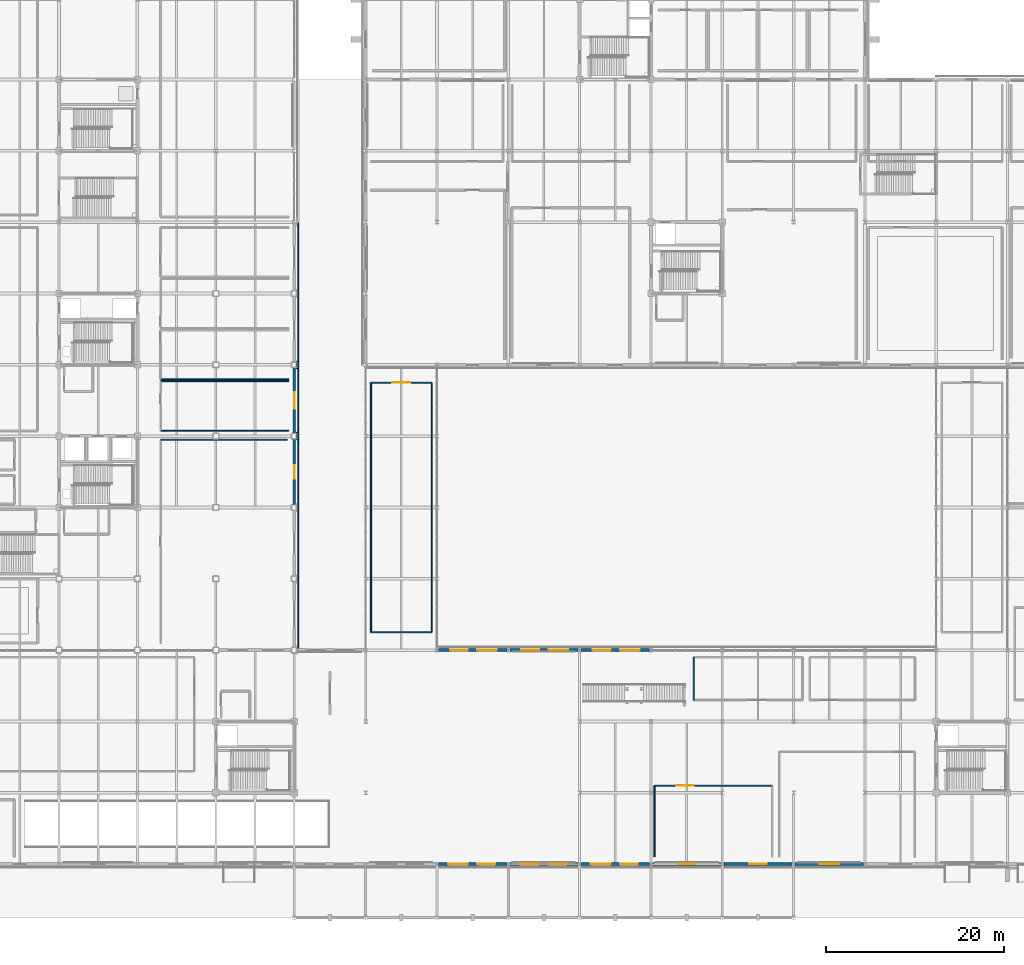
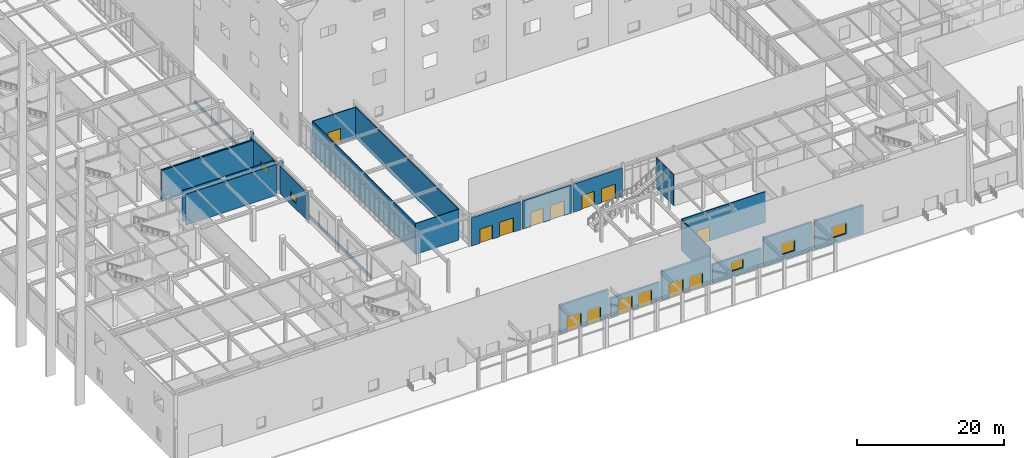
# One storey, part 88 of 119: 25 walls, 14 doors, 5 windows, 19 openings.
"""IFC4 building model written with IfcOpenShell, lengths in metres."""

import ifcopenshell
import ifcopenshell.guid

model = None  # the IFC model being written
_history = None  # IfcOwnerHistory: only IFC2X3 demands one
_inside = {}  # id of a spatial element -> (the spatial element, [elements in it])
_under = {}  # id of a project, library or spatial element -> (it, [spatial elements below it])
_declared = {}  # id of a project -> (the project, [libraries it declares])
_typed = {}  # id of a type object -> (the type object, [elements of that type])
_made_of = {}  # id of a material, layer set ... -> (it, [elements and type objects made of it])


def new_model(schema):
    """Start an empty IFC model of exactly this schema.

    Asked for "IFC4X3", IfcOpenShell would pick the latest addendum, in which some entities
    have other attributes; the version numbers below select the first issue.
    IFC2X3 requires an IfcOwnerHistory on every rooted entity: one is made here for all.
    """
    global model, _history
    if schema == "IFC4X3":
        model = ifcopenshell.file(schema_version=(4, 3, 0, 0))
    else:
        model = ifcopenshell.file(schema=schema)
    _inside.clear()
    _under.clear()
    _declared.clear()
    _typed.clear()
    _made_of.clear()
    _history = None
    if model.schema == "IFC2X3":
        org = make("IfcOrganization", Name="unknown")
        user = make(
            "IfcPersonAndOrganization",
            ThePerson=make("IfcPerson", FamilyName="unknown"),
            TheOrganization=org,
        )
        app = make(
            "IfcApplication",
            ApplicationDeveloper=org,
            Version="unknown",
            ApplicationFullName="unknown",
            ApplicationIdentifier="unknown",
        )
        _history = make(
            "IfcOwnerHistory",
            OwningUser=user,
            OwningApplication=app,
            ChangeAction="ADDED",
            CreationDate=0,
        )
    return model


def make(cls, **values):
    """One entity of the class cls with the attributes given. An attribute that is None is left unset."""
    return model.create_entity(
        cls, **{name: value for name, value in values.items() if value is not None}
    )


def rooted(cls, **values):
    """An entity with a GlobalId (a new one), such as an element, a storey or a relation."""
    return make(cls, GlobalId=ifcopenshell.guid.new(), OwnerHistory=_history, **values)


def si_unit(unit_type, name, prefix=None):
    """IfcSIUnit, for example si_unit("LENGTHUNIT", "METRE", prefix="MILLI")."""
    return make("IfcSIUnit", UnitType=unit_type, Prefix=prefix, Name=name)


def assignment(units):
    """IfcUnitAssignment: the units of a project."""
    return None if units is None else make("IfcUnitAssignment", Units=units)


def point(xyz):
    """IfcCartesianPoint."""
    return None if xyz is None else make("IfcCartesianPoint", Coordinates=xyz)


def direction(xyz):
    """IfcDirection."""
    return None if xyz is None else make("IfcDirection", DirectionRatios=xyz)


def frame(location, z_axis=None, x_axis=None):
    """IfcAxis2Placement3D, a coordinate frame: its origin and axes. An axis left out is left unset."""
    return make(
        "IfcAxis2Placement3D",
        Location=point(location),
        Axis=direction(z_axis),
        RefDirection=direction(x_axis),
    )


def frame_2d(location, x_axis=None):
    """IfcAxis2Placement2D, a coordinate frame in the plane: its origin and x axis."""
    return make(
        "IfcAxis2Placement2D", Location=point(location), RefDirection=direction(x_axis)
    )


def origin():
    """The frame at (0, 0, 0) with its axes left unset."""
    return frame((0.0, 0.0, 0.0))


def place(relative_to, where):
    """IfcLocalPlacement: puts the frame where relative to a parent placement (None: the world)."""
    return make(
        "IfcLocalPlacement", PlacementRelTo=relative_to, RelativePlacement=where
    )


def context(
    kind, dimensions, precision=None, world=None, true_north=None, identifier=None
):
    """IfcGeometricRepresentationContext, for example the 3D "Model" context."""
    return make(
        "IfcGeometricRepresentationContext",
        ContextIdentifier=identifier,
        ContextType=kind,
        CoordinateSpaceDimension=dimensions,
        Precision=precision,
        WorldCoordinateSystem=world,
        TrueNorth=true_north,
    )


def subcontext(parent, identifier, kind, view, scale=None):
    """IfcGeometricRepresentationSubContext, for example "Body" below "Model"."""
    return make(
        "IfcGeometricRepresentationSubContext",
        ContextIdentifier=identifier,
        ContextType=kind,
        ParentContext=parent,
        TargetScale=scale,
        TargetView=view,
    )


def project(units=None, contexts=None):
    """IfcProject with its units and contexts."""
    return rooted(
        "IfcProject",
        Name="project",
        RepresentationContexts=contexts,
        UnitsInContext=assignment(units),
    )


def spatial(cls, under=None, at=None, **own):
    """A site, building, storey or space (cls), placed at a placement, below another one or the project."""
    s = rooted(cls, ObjectPlacement=at, **own)
    if under is not None:
        _under.setdefault(under.id(), (under, []))[1].append(s)
    return s


def profile(cls, at=None, kind="AREA", **sizes):
    """A parametric profile (cls). Its sizes go by their IFC names, for example OverallWidth=200.0."""
    return make(cls, ProfileType=kind, Position=at, **sizes)


def rectangle(**sizes):
    """IfcRectangleProfileDef."""
    return profile("IfcRectangleProfileDef", **sizes)


def extrude(swept, where, along, depth):
    """IfcExtrudedAreaSolid: the profile swept, set in the frame where, extruded along a direction by depth."""
    return make(
        "IfcExtrudedAreaSolid",
        SweptArea=swept,
        Position=where,
        ExtrudedDirection=direction(along),
        Depth=depth,
    )


def shape(context_of_items, identifier, shape_type, items):
    """IfcShapeRepresentation: the items that make up one representation, for example the "Body"."""
    return make(
        "IfcShapeRepresentation",
        ContextOfItems=context_of_items,
        RepresentationIdentifier=identifier,
        RepresentationType=shape_type,
        Items=items,
    )


def material(Name=None, Category=None):
    """IfcMaterial."""
    return make("IfcMaterial", Name=Name, Category=Category)


def layer(
    of_material, thickness, ventilated=None, Name=None, Category=None, Priority=None
):
    """IfcMaterialLayer: one layer of a wall or slab, of a material (None: an air gap)."""
    return make(
        "IfcMaterialLayer",
        Material=of_material,
        LayerThickness=thickness,
        IsVentilated=ventilated,
        Name=Name,
        Category=Category,
        Priority=Priority,
    )


def layer_set(layers, Name=None):
    """IfcMaterialLayerSet."""
    return make("IfcMaterialLayerSet", MaterialLayers=layers, LayerSetName=Name)


def made_of(thing, what):
    """Note that an element or type object is made of a material, layer set ...; save() writes the relation."""
    if what is not None:
        _made_of.setdefault(what.id(), (what, []))[1].append(thing)
    return thing


def type_object(cls, material=None, **own):
    """A type object (cls), such as IfcWallType, which elements share."""
    return made_of(rooted(cls, **own), material)


def element(
    cls,
    number,
    at=None,
    inside=None,
    cuts=None,
    type_object=None,
    material=None,
    context=None,
    identifier="Body",
    shape_type=None,
    held_by="IfcProductDefinitionShape",
    body=None,
    shapes=None,
    **own,
):
    """One element of the class cls, such as IfcWall. Its Tag is "e" and its number.

    at: its placement. inside: the storey or other place that contains it. cuts: it is an
    opening in that element (IfcRelVoidsElement). A single representation is given by context,
    identifier, shape_type and body (its items); several are given by shapes. held_by: the class
    of the entity that holds the representations. save() writes the other relations.
    """
    e = rooted(cls, Tag="e%d" % number, ObjectPlacement=at, **own)
    if body is not None:
        shapes = [shape(context, identifier, shape_type, body)]
    if shapes is not None:
        e.Representation = make(held_by, Representations=shapes)
    if inside is not None:
        _inside.setdefault(inside.id(), (inside, []))[1].append(e)
    if cuts is not None:
        rooted(
            "IfcRelVoidsElement", RelatingBuildingElement=cuts, RelatedOpeningElement=e
        )
    if type_object is not None:
        _typed.setdefault(type_object.id(), (type_object, []))[1].append(e)
    return made_of(e, material)


def fill(opening, filler):
    """IfcRelFillsElement: the door or window that sits in an opening."""
    return rooted(
        "IfcRelFillsElement",
        RelatingOpeningElement=opening,
        RelatedBuildingElement=filler,
    )


def aggregate(whole, parts):
    """IfcRelAggregates: a whole, such as a stair, and the parts it consists of."""
    return rooted("IfcRelAggregates", RelatingObject=whole, RelatedObjects=parts)


def save(model, path):
    """Write the relations noted so far, then the file.

    IfcRelAggregates (storeys below a building ...), IfcRelContainedInSpatialStructure (elements
    in a storey), IfcRelDefinesByType, IfcRelAssociatesMaterial and IfcRelDeclares: one each for
    every whole, place, type object, material and project.
    """
    for whole, parts in _under.values():
        aggregate(whole, parts)
    for where, things in _inside.values():
        rooted(
            "IfcRelContainedInSpatialStructure",
            RelatedElements=things,
            RelatingStructure=where,
        )
    for kind, things in _typed.values():
        rooted("IfcRelDefinesByType", RelatedObjects=things, RelatingType=kind)
    for what, things in _made_of.values():
        rooted("IfcRelAssociatesMaterial", RelatedObjects=things, RelatingMaterial=what)
    for by, libraries in _declared.values():
        rooted("IfcRelDeclares", RelatingContext=by, RelatedDefinitions=libraries)
    model.write(path)


model = new_model("IFC4")

# Units and contexts
model_context = context("Model", 3, precision=1e-05, world=origin(), true_north=direction((0.0, 1.0)))
body_context = subcontext(model_context, "Body", "Model", "MODEL_VIEW")
ifc_project = project(units=[si_unit("LENGTHUNIT", "METRE"), si_unit("AREAUNIT", "SQUARE_METRE"), si_unit("VOLUMEUNIT", "CUBIC_METRE"), si_unit("PLANEANGLEUNIT", "RADIAN"), si_unit("MASSUNIT", "GRAM", prefix="KILO")], contexts=[model_context])

# Site, building, storey
site_placement = place(None, origin())
site = spatial("IfcSite", under=ifc_project, at=site_placement, CompositionType="ELEMENT")
building_placement = place(site_placement, origin())
building = spatial("IfcBuilding", under=site, at=building_placement, Name="Zhaolan Boulevard Law Courts", CompositionType="ELEMENT")
storey_placement = place(building_placement, origin())
storey = spatial("IfcBuildingStorey", under=building, at=storey_placement, Name="L00", CompositionType="ELEMENT", Elevation=0.0)

# Walls
ifc_material_1 = material(Name="Concrete C40", Category="concrete")
ifc_layer_1 = layer(ifc_material_1, 0.139892578125)
ifc_layer_set_1 = layer_set([ifc_layer_1])
wall_type_1 = type_object("IfcWallType", Name="EXT WALL ARCH CLAD140", PredefinedType="SOLIDWALL", material=ifc_layer_set_1)
for number, where, z_axis, x_axis, name in (
    (1, (44.280029296875, 53.580078125, 0.0), (0.0, 0.0, 1.0), (0.0, 1.0, 0.0), "Concrete Column Cloak Pier CPR-031"),
    (2, (44.280029296875, 61.580078125, 0.0), (0.0, 0.0, 1.0), (0.0, 1.0, 0.0), "Concrete Column Cloak Pier CPR-033"),
):
    element("IfcWall", number, at=place(storey_placement, frame(where, z_axis=z_axis, x_axis=x_axis)), inside=storey, type_object=wall_type_1, Name=name, PredefinedType="SOLIDWALL", context=body_context, shape_type="SweptSolid", body=[
        extrude(rectangle(XDim=0.83984375, YDim=0.139892578125, at=frame_2d((0.419921875, 0.0))), origin(), (0.0, 0.0, 1.0), 5.139892578125),
    ])
ifc_material_2 = material(Name="Concrete C40", Category="concrete")
ifc_layer_2 = layer(ifc_material_2, 0.159912109375)
ifc_layer_set_2 = layer_set([ifc_layer_2])
wall_type_2 = type_object("IfcWallType", Name="EXT WALL ARCH CLAD160", PredefinedType="SOLIDWALL", material=ifc_layer_set_2)
wall_1_placement = place(storey_placement, frame((44.43994140625, 30.0, 0.0), z_axis=(0.0, 0.0, 1.0), x_axis=(0.0, 1.0, 0.0)))
element("IfcWall", 3, at=wall_1_placement, inside=storey, type_object=wall_type_2, Name="Sculpted Concrete Spandrel Band CBW-023", PredefinedType="SOLIDWALL", context=body_context, shape_type="SweptSolid", body=[
    extrude(rectangle(XDim=48.0, YDim=0.159912109375, at=frame_2d((24.0, 0.0))), origin(), (0.0, 0.0, 1.0), 0.580078125),
])

# Wall, openings, doors
ifc_material_3 = material(Name="Concrete C40", Category="concrete")
ifc_layer_3 = layer(ifc_material_3, 0.320068359375)
ifc_layer_set_3 = layer_set([ifc_layer_3])
wall_type_3 = type_object("IfcWallType", Name="EXT WALL CONCRETE320", PredefinedType="SOLIDWALL", material=ifc_layer_set_3)
wall_2_placement = place(storey_placement, frame((60.1708984375, 6.0, 0.0), z_axis=(0.0, 0.0, 1.0), x_axis=(1.0, 0.0, 0.0)))
wall_2 = element("IfcWall", 4, at=wall_2_placement, inside=storey, type_object=wall_type_3, Name="Exterior Wall EW-L00-127", PredefinedType="SOLIDWALL", context=body_context, shape_type="SweptSolid", body=[
    extrude(rectangle(XDim=7.658203125, YDim=0.320068359375, at=frame_2d((3.8291015625, 0.0))), origin(), (0.0, 0.0, 1.0), 4.68310546875),
])
opening_1_placement = place(wall_2_placement, frame((1.09912109375, 0.0, 0.0)))
opening_1 = element("IfcOpeningElement", 5, at=opening_1_placement, cuts=wall_2, Name="Opening ED-07", PredefinedType="OPENING", context=body_context, shape_type="SweptSolid", body=[
    extrude(rectangle(XDim=2.199951171875, YDim=2.39990234375, at=frame_2d((1.10009765625, 1.199951171875))), frame((0.0, 0.169921875, 0.0), z_axis=(0.0, -1.0, 0.0), x_axis=(1.0, 0.0, 0.0)), (0.0, 0.0, 1.0), 0.340087890625),
])
opening_2_placement = place(wall_2_placement, frame((4.35888671875, 0.0, 0.0)))
opening_2 = element("IfcOpeningElement", 6, at=opening_2_placement, cuts=wall_2, Name="Opening ED-08", PredefinedType="OPENING", context=body_context, shape_type="SweptSolid", body=[
    extrude(rectangle(XDim=2.0, YDim=2.35009765625, at=frame_2d((1.0, 1.175048828125))), frame((0.0, 0.169921875, 0.0), z_axis=(0.0, -1.0, 0.0), x_axis=(1.0, 0.0, 0.0)), (0.0, 0.0, 1.0), 0.340087890625),
])
ifc_material_4 = material(Name="Insulated powder-coated steel and safety glass", Category="steel")
door_type_1 = type_object("IfcDoorType", Name="EXIT DOOR 2000X2350 R", OperationType="DOUBLE_DOOR_SINGLE_SWING", PredefinedType="DOOR", material=ifc_material_4)
door_1_placement = place(opening_2_placement, origin())
door_1 = element("IfcDoor", 7, at=door_1_placement, inside=storey, type_object=door_type_1, Name="Pedestrian Final Exit Door ED-08", OperationType="DOUBLE_DOOR_SINGLE_SWING", OverallHeight=2.35009765625, OverallWidth=2.0, PredefinedType="DOOR", context=body_context, shape_type="SweptSolid", body=[
    extrude(rectangle(XDim=2.0, YDim=2.35009765625, at=frame_2d((1.0, 1.175048828125))), frame((0.0, 0.02490234375, 0.0), z_axis=(0.0, -1.0, 0.0), x_axis=(1.0, 0.0, 0.0)), (0.0, 0.0, 1.0), 0.050048828125),
])
fill(opening_2, door_1)
ifc_material_5 = material(Name="Insulated powder-coated steel and safety glass", Category="steel")
door_type_2 = type_object("IfcDoorType", Name="EXIT DOOR 2200X2400 L", OperationType="DOUBLE_DOOR_SINGLE_SWING", PredefinedType="DOOR", material=ifc_material_5)
door_2_placement = place(opening_1_placement, origin())
door_2 = element("IfcDoor", 8, at=door_2_placement, inside=storey, type_object=door_type_2, Name="Pedestrian Final Exit Door ED-07", OperationType="DOUBLE_DOOR_SINGLE_SWING", OverallHeight=2.39990234375, OverallWidth=2.199951171875, PredefinedType="DOOR", context=body_context, shape_type="SweptSolid", body=[
    extrude(rectangle(XDim=2.199951171875, YDim=2.39990234375, at=frame_2d((1.10009765625, 1.199951171875))), frame((0.0, 0.02490234375, 0.0), z_axis=(0.0, -1.0, 0.0), x_axis=(1.0, 0.0, 0.0)), (0.0, 0.0, 1.0), 0.050048828125),
])
fill(opening_1, door_2)

wall_3_placement = place(storey_placement, frame((68.1708984375, 6.0, 0.0), z_axis=(0.0, 0.0, 1.0), x_axis=(1.0, 0.0, 0.0)))
wall_3 = element("IfcWall", 9, at=wall_3_placement, inside=storey, type_object=wall_type_3, Name="Exterior Wall EW-L00-128", PredefinedType="SOLIDWALL", context=body_context, shape_type="SweptSolid", body=[
    extrude(rectangle(XDim=7.658203125, YDim=0.320068359375, at=frame_2d((3.8291015625, 0.0))), origin(), (0.0, 0.0, 1.0), 3.0849609375),
])
opening_3_placement = place(wall_3_placement, frame((1.09912109375, 0.0, 0.0)))
opening_3 = element("IfcOpeningElement", 10, at=opening_3_placement, cuts=wall_3, Name="Opening ED-09", PredefinedType="OPENING", context=body_context, shape_type="SweptSolid", body=[
    extrude(rectangle(XDim=2.199951171875, YDim=2.39990234375, at=frame_2d((1.10009765625, 1.199951171875))), frame((0.0, 0.169921875, 0.0), z_axis=(0.0, -1.0, 0.0), x_axis=(1.0, 0.0, 0.0)), (0.0, 0.0, 1.0), 0.340087890625),
])
opening_4_placement = place(wall_3_placement, frame((4.35888671875, 0.0, 0.0)))
opening_4 = element("IfcOpeningElement", 11, at=opening_4_placement, cuts=wall_3, Name="Opening ED-10", PredefinedType="OPENING", context=body_context, shape_type="SweptSolid", body=[
    extrude(rectangle(XDim=2.0, YDim=2.35009765625, at=frame_2d((1.0, 1.175048828125))), frame((0.0, 0.169921875, 0.0), z_axis=(0.0, -1.0, 0.0), x_axis=(1.0, 0.0, 0.0)), (0.0, 0.0, 1.0), 0.340087890625),
])
door_3_placement = place(opening_4_placement, origin())
door_3 = element("IfcDoor", 12, at=door_3_placement, inside=storey, type_object=door_type_1, Name="Pedestrian Final Exit Door ED-10", OperationType="DOUBLE_DOOR_SINGLE_SWING", OverallHeight=2.35009765625, OverallWidth=2.0, PredefinedType="DOOR", context=body_context, shape_type="SweptSolid", body=[
    extrude(rectangle(XDim=2.0, YDim=2.35009765625, at=frame_2d((1.0, 1.175048828125))), frame((0.0, 0.02490234375, 0.0), z_axis=(0.0, -1.0, 0.0), x_axis=(1.0, 0.0, 0.0)), (0.0, 0.0, 1.0), 0.050048828125),
])
fill(opening_4, door_3)
door_4_placement = place(opening_3_placement, origin())
door_4 = element("IfcDoor", 13, at=door_4_placement, inside=storey, type_object=door_type_2, Name="Pedestrian Final Exit Door ED-09", OperationType="DOUBLE_DOOR_SINGLE_SWING", OverallHeight=2.39990234375, OverallWidth=2.199951171875, PredefinedType="DOOR", context=body_context, shape_type="SweptSolid", body=[
    extrude(rectangle(XDim=2.199951171875, YDim=2.39990234375, at=frame_2d((1.10009765625, 1.199951171875))), frame((0.0, 0.02490234375, 0.0), z_axis=(0.0, -1.0, 0.0), x_axis=(1.0, 0.0, 0.0)), (0.0, 0.0, 1.0), 0.050048828125),
])
fill(opening_3, door_4)

wall_4_placement = place(storey_placement, frame((76.1708984375, 6.0, 0.0), z_axis=(0.0, 0.0, 1.0), x_axis=(1.0, 0.0, 0.0)))
wall_4 = element("IfcWall", 14, at=wall_4_placement, inside=storey, type_object=wall_type_3, Name="Exterior Wall EW-L00-129", PredefinedType="SOLIDWALL", context=body_context, shape_type="SweptSolid", body=[
    extrude(rectangle(XDim=7.658203125, YDim=0.320068359375, at=frame_2d((3.8291015625, 0.0))), origin(), (0.0, 0.0, 1.0), 4.68310546875),
])
opening_5_placement = place(wall_4_placement, frame((1.09912109375, 0.0, 0.0)))
opening_5 = element("IfcOpeningElement", 15, at=opening_5_placement, cuts=wall_4, Name="Opening ED-11", PredefinedType="OPENING", context=body_context, shape_type="SweptSolid", body=[
    extrude(rectangle(XDim=2.199951171875, YDim=2.39990234375, at=frame_2d((1.10009765625, 1.199951171875))), frame((0.0, 0.169921875, 0.0), z_axis=(0.0, -1.0, 0.0), x_axis=(1.0, 0.0, 0.0)), (0.0, 0.0, 1.0), 0.340087890625),
])
opening_6_placement = place(wall_4_placement, frame((4.35888671875, 0.0, 0.0)))
opening_6 = element("IfcOpeningElement", 16, at=opening_6_placement, cuts=wall_4, Name="Opening ED-12", PredefinedType="OPENING", context=body_context, shape_type="SweptSolid", body=[
    extrude(rectangle(XDim=2.0, YDim=2.35009765625, at=frame_2d((1.0, 1.175048828125))), frame((0.0, 0.169921875, 0.0), z_axis=(0.0, -1.0, 0.0), x_axis=(1.0, 0.0, 0.0)), (0.0, 0.0, 1.0), 0.340087890625),
])
door_5_placement = place(opening_6_placement, origin())
door_5 = element("IfcDoor", 17, at=door_5_placement, inside=storey, type_object=door_type_1, Name="Pedestrian Final Exit Door ED-12", OperationType="DOUBLE_DOOR_SINGLE_SWING", OverallHeight=2.35009765625, OverallWidth=2.0, PredefinedType="DOOR", context=body_context, shape_type="SweptSolid", body=[
    extrude(rectangle(XDim=2.0, YDim=2.35009765625, at=frame_2d((1.0, 1.175048828125))), frame((0.0, 0.02490234375, 0.0), z_axis=(0.0, -1.0, 0.0), x_axis=(1.0, 0.0, 0.0)), (0.0, 0.0, 1.0), 0.050048828125),
])
fill(opening_6, door_5)
door_6_placement = place(opening_5_placement, origin())
door_6 = element("IfcDoor", 18, at=door_6_placement, inside=storey, type_object=door_type_2, Name="Pedestrian Final Exit Door ED-11", OperationType="DOUBLE_DOOR_SINGLE_SWING", OverallHeight=2.39990234375, OverallWidth=2.199951171875, PredefinedType="DOOR", context=body_context, shape_type="SweptSolid", body=[
    extrude(rectangle(XDim=2.199951171875, YDim=2.39990234375, at=frame_2d((1.10009765625, 1.199951171875))), frame((0.0, 0.02490234375, 0.0), z_axis=(0.0, -1.0, 0.0), x_axis=(1.0, 0.0, 0.0)), (0.0, 0.0, 1.0), 0.050048828125),
])
fill(opening_5, door_6)

# Wall, opening, window
wall_5_placement = place(storey_placement, frame((84.1708984375, 6.0, 0.0), z_axis=(0.0, 0.0, 1.0), x_axis=(1.0, 0.0, 0.0)))
wall_5 = element("IfcWall", 19, at=wall_5_placement, inside=storey, type_object=wall_type_3, Name="Exterior Wall EW-L00-130", PredefinedType="SOLIDWALL", context=body_context, shape_type="SweptSolid", body=[
    extrude(rectangle(XDim=7.658203125, YDim=0.320068359375, at=frame_2d((3.8291015625, 0.0))), origin(), (0.0, 0.0, 1.0), 3.087890625),
])
opening_7_placement = place(wall_5_placement, frame((2.928955078125, 0.0, 0.949951171875)))
opening_7 = element("IfcOpeningElement", 20, at=opening_7_placement, cuts=wall_5, Name="Opening WIN-L00-004", PredefinedType="OPENING", context=body_context, shape_type="SweptSolid", body=[
    extrude(rectangle(XDim=1.800048828125, YDim=1.5, at=frame_2d((0.89990234375, 0.75))), frame((0.0, 0.169921875, 0.0), z_axis=(0.0, -1.0, 0.0), x_axis=(1.0, 0.0, 0.0)), (0.0, 0.0, 1.0), 0.340087890625),
])
ifc_material_6 = material(Name="Thermally broken aluminium and low-E glazing", Category="aluminium")
window_type_1 = type_object("IfcWindowType", Name="WINDOW 1800X1500", PartitioningType="DOUBLE_PANEL_VERTICAL", PredefinedType="WINDOW", material=ifc_material_6)
window_1_placement = place(opening_7_placement, origin())
window_1 = element("IfcWindow", 21, at=window_1_placement, inside=storey, type_object=window_type_1, Name="Exterior Window WIN-L00-004", OverallHeight=1.5, OverallWidth=1.800048828125, PartitioningType="SINGLE_PANEL", PredefinedType="WINDOW", context=body_context, shape_type="SweptSolid", body=[
    extrude(rectangle(XDim=1.800048828125, YDim=1.5, at=frame_2d((0.89990234375, 0.75))), frame((0.0, 0.030029296875, 0.0), z_axis=(0.0, -1.0, 0.0), x_axis=(1.0, 0.0, 0.0)), (0.0, 0.0, 1.0), 0.06005859375),
])
fill(opening_7, window_1)

wall_6_placement = place(storey_placement, frame((92.1708984375, 6.0, 0.0), z_axis=(0.0, 0.0, 1.0), x_axis=(1.0, 0.0, 0.0)))
wall_6 = element("IfcWall", 22, at=wall_6_placement, inside=storey, type_object=wall_type_3, Name="Exterior Wall EW-L00-131", PredefinedType="SOLIDWALL", context=body_context, shape_type="SweptSolid", body=[
    extrude(rectangle(XDim=7.658203125, YDim=0.320068359375, at=frame_2d((3.8291015625, 0.0))), origin(), (0.0, 0.0, 1.0), 4.68310546875),
])
opening_8_placement = place(wall_6_placement, frame((2.8291015625, 0.0, 0.949951171875)))
opening_8 = element("IfcOpeningElement", 23, at=opening_8_placement, cuts=wall_6, Name="Opening WIN-L00-005", PredefinedType="OPENING", context=body_context, shape_type="SweptSolid", body=[
    extrude(rectangle(XDim=2.0, YDim=1.800048828125, at=frame_2d((1.0, 0.89990234375))), frame((0.0, 0.169921875, 0.0), z_axis=(0.0, -1.0, 0.0), x_axis=(1.0, 0.0, 0.0)), (0.0, 0.0, 1.0), 0.340087890625),
])
ifc_material_7 = material(Name="Thermally broken aluminium and low-E glazing", Category="aluminium")
window_type_2 = type_object("IfcWindowType", Name="WINDOW 2000X1800", PartitioningType="DOUBLE_PANEL_VERTICAL", PredefinedType="WINDOW", material=ifc_material_7)
window_2_placement = place(opening_8_placement, origin())
window_2 = element("IfcWindow", 24, at=window_2_placement, inside=storey, type_object=window_type_2, Name="Exterior Window WIN-L00-005", OverallHeight=1.800048828125, OverallWidth=2.0, PartitioningType="SINGLE_PANEL", PredefinedType="WINDOW", context=body_context, shape_type="SweptSolid", body=[
    extrude(rectangle(XDim=2.0, YDim=1.800048828125, at=frame_2d((1.0, 0.89990234375))), frame((0.0, 0.030029296875, 0.0), z_axis=(0.0, -1.0, 0.0), x_axis=(1.0, 0.0, 0.0)), (0.0, 0.0, 1.0), 0.06005859375),
])
fill(opening_8, window_2)

wall_7_placement = place(storey_placement, frame((100.1708984375, 6.0, 0.0), z_axis=(0.0, 0.0, 1.0), x_axis=(1.0, 0.0, 0.0)))
wall_7 = element("IfcWall", 25, at=wall_7_placement, inside=storey, type_object=wall_type_3, Name="Exterior Wall EW-L00-132", PredefinedType="SOLIDWALL", context=body_context, shape_type="SweptSolid", body=[
    extrude(rectangle(XDim=7.658203125, YDim=0.320068359375, at=frame_2d((3.8291015625, 0.0))), origin(), (0.0, 0.0, 1.0), 4.68310546875),
])
opening_9_placement = place(wall_7_placement, frame((2.72900390625, 0.0, 0.949951171875)))
opening_9 = element("IfcOpeningElement", 26, at=opening_9_placement, cuts=wall_7, Name="Opening WIN-L00-006", PredefinedType="OPENING", context=body_context, shape_type="SweptSolid", body=[
    extrude(rectangle(XDim=2.199951171875, YDim=1.800048828125, at=frame_2d((1.10009765625, 0.89990234375))), frame((0.0, 0.169921875, 0.0), z_axis=(0.0, -1.0, 0.0), x_axis=(1.0, 0.0, 0.0)), (0.0, 0.0, 1.0), 0.340087890625),
])
ifc_material_8 = material(Name="Thermally broken aluminium and low-E glazing", Category="aluminium")
window_type_3 = type_object("IfcWindowType", Name="WINDOW 2200X1800", PartitioningType="DOUBLE_PANEL_VERTICAL", PredefinedType="WINDOW", material=ifc_material_8)
window_3_placement = place(opening_9_placement, origin())
window_3 = element("IfcWindow", 27, at=window_3_placement, inside=storey, type_object=window_type_3, Name="Exterior Window WIN-L00-006", OverallHeight=1.800048828125, OverallWidth=2.199951171875, PartitioningType="SINGLE_PANEL", PredefinedType="WINDOW", context=body_context, shape_type="SweptSolid", body=[
    extrude(rectangle(XDim=2.199951171875, YDim=1.800048828125, at=frame_2d((1.10009765625, 0.89990234375))), frame((0.0, 0.030029296875, 0.0), z_axis=(0.0, -1.0, 0.0), x_axis=(1.0, 0.0, 0.0)), (0.0, 0.0, 1.0), 0.06005859375),
])
fill(opening_9, window_3)

# Wall, openings, doors
wall_8_placement = place(storey_placement, frame((67.8291015625, 30.0, 0.0), z_axis=(0.0, 0.0, 1.0), x_axis=(-1.0, 0.0, 0.0)))
wall_8 = element("IfcWall", 28, at=wall_8_placement, inside=storey, type_object=wall_type_3, Name="Exterior Wall EW-L00-137", PredefinedType="SOLIDWALL", context=body_context, shape_type="SweptSolid", body=[
    extrude(rectangle(XDim=7.658203125, YDim=0.320068359375, at=frame_2d((3.8291015625, 0.0))), origin(), (0.0, 0.0, 1.0), 4.68310546875),
])
opening_10_placement = place(wall_8_placement, frame((1.09912109375, 0.0, 0.0)))
opening_10 = element("IfcOpeningElement", 29, at=opening_10_placement, cuts=wall_8, Name="Opening ED-19", PredefinedType="OPENING", context=body_context, shape_type="SweptSolid", body=[
    extrude(rectangle(XDim=2.199951171875, YDim=2.39990234375, at=frame_2d((1.10009765625, 1.199951171875))), frame((0.0, 0.169921875, 0.0), z_axis=(0.0, -1.0, 0.0), x_axis=(1.0, 0.0, 0.0)), (0.0, 0.0, 1.0), 0.340087890625),
])
opening_11_placement = place(wall_8_placement, frame((4.35888671875, 0.0, 0.0)))
opening_11 = element("IfcOpeningElement", 30, at=opening_11_placement, cuts=wall_8, Name="Opening ED-20", PredefinedType="OPENING", context=body_context, shape_type="SweptSolid", body=[
    extrude(rectangle(XDim=2.0, YDim=2.35009765625, at=frame_2d((1.0, 1.175048828125))), frame((0.0, 0.169921875, 0.0), z_axis=(0.0, -1.0, 0.0), x_axis=(1.0, 0.0, 0.0)), (0.0, 0.0, 1.0), 0.340087890625),
])
door_7_placement = place(opening_11_placement, origin())
door_7 = element("IfcDoor", 31, at=door_7_placement, inside=storey, type_object=door_type_1, Name="Pedestrian Final Exit Door ED-20", OperationType="DOUBLE_DOOR_SINGLE_SWING", OverallHeight=2.35009765625, OverallWidth=2.0, PredefinedType="DOOR", context=body_context, shape_type="SweptSolid", body=[
    extrude(rectangle(XDim=2.0, YDim=2.35009765625, at=frame_2d((1.0, 1.175048828125))), frame((0.0, 0.02490234375, 0.0), z_axis=(0.0, -1.0, 0.0), x_axis=(1.0, 0.0, 0.0)), (0.0, 0.0, 1.0), 0.050048828125),
])
fill(opening_11, door_7)
door_8_placement = place(opening_10_placement, origin())
door_8 = element("IfcDoor", 32, at=door_8_placement, inside=storey, type_object=door_type_2, Name="Pedestrian Final Exit Door ED-19", OperationType="DOUBLE_DOOR_SINGLE_SWING", OverallHeight=2.39990234375, OverallWidth=2.199951171875, PredefinedType="DOOR", context=body_context, shape_type="SweptSolid", body=[
    extrude(rectangle(XDim=2.199951171875, YDim=2.39990234375, at=frame_2d((1.10009765625, 1.199951171875))), frame((0.0, 0.02490234375, 0.0), z_axis=(0.0, -1.0, 0.0), x_axis=(1.0, 0.0, 0.0)), (0.0, 0.0, 1.0), 0.050048828125),
])
fill(opening_10, door_8)

wall_9_placement = place(storey_placement, frame((75.8291015625, 30.0, 0.0), z_axis=(0.0, 0.0, 1.0), x_axis=(-1.0, 0.0, 0.0)))
wall_9 = element("IfcWall", 33, at=wall_9_placement, inside=storey, type_object=wall_type_3, Name="Exterior Wall EW-L00-138", PredefinedType="SOLIDWALL", context=body_context, shape_type="SweptSolid", body=[
    extrude(rectangle(XDim=7.658203125, YDim=0.320068359375, at=frame_2d((3.8291015625, 0.0))), origin(), (0.0, 0.0, 1.0), 4.68310546875),
])
opening_12_placement = place(wall_9_placement, frame((1.09912109375, 0.0, 0.0)))
opening_12 = element("IfcOpeningElement", 34, at=opening_12_placement, cuts=wall_9, Name="Opening ED-21", PredefinedType="OPENING", context=body_context, shape_type="SweptSolid", body=[
    extrude(rectangle(XDim=2.199951171875, YDim=2.39990234375, at=frame_2d((1.10009765625, 1.199951171875))), frame((0.0, 0.169921875, 0.0), z_axis=(0.0, -1.0, 0.0), x_axis=(1.0, 0.0, 0.0)), (0.0, 0.0, 1.0), 0.340087890625),
])
opening_13_placement = place(wall_9_placement, frame((4.35888671875, 0.0, 0.0)))
opening_13 = element("IfcOpeningElement", 35, at=opening_13_placement, cuts=wall_9, Name="Opening ED-22", PredefinedType="OPENING", context=body_context, shape_type="SweptSolid", body=[
    extrude(rectangle(XDim=2.0, YDim=2.35009765625, at=frame_2d((1.0, 1.175048828125))), frame((0.0, 0.169921875, 0.0), z_axis=(0.0, -1.0, 0.0), x_axis=(1.0, 0.0, 0.0)), (0.0, 0.0, 1.0), 0.340087890625),
])
door_9_placement = place(opening_13_placement, origin())
door_9 = element("IfcDoor", 36, at=door_9_placement, inside=storey, type_object=door_type_1, Name="Pedestrian Final Exit Door ED-22", OperationType="DOUBLE_DOOR_SINGLE_SWING", OverallHeight=2.35009765625, OverallWidth=2.0, PredefinedType="DOOR", context=body_context, shape_type="SweptSolid", body=[
    extrude(rectangle(XDim=2.0, YDim=2.35009765625, at=frame_2d((1.0, 1.175048828125))), frame((0.0, 0.02490234375, 0.0), z_axis=(0.0, -1.0, 0.0), x_axis=(1.0, 0.0, 0.0)), (0.0, 0.0, 1.0), 0.050048828125),
])
fill(opening_13, door_9)
door_10_placement = place(opening_12_placement, origin())
door_10 = element("IfcDoor", 37, at=door_10_placement, inside=storey, type_object=door_type_2, Name="Pedestrian Final Exit Door ED-21", OperationType="DOUBLE_DOOR_SINGLE_SWING", OverallHeight=2.39990234375, OverallWidth=2.199951171875, PredefinedType="DOOR", context=body_context, shape_type="SweptSolid", body=[
    extrude(rectangle(XDim=2.199951171875, YDim=2.39990234375, at=frame_2d((1.10009765625, 1.199951171875))), frame((0.0, 0.02490234375, 0.0), z_axis=(0.0, -1.0, 0.0), x_axis=(1.0, 0.0, 0.0)), (0.0, 0.0, 1.0), 0.050048828125),
])
fill(opening_12, door_10)

wall_10_placement = place(storey_placement, frame((83.8291015625, 30.0, 0.0), z_axis=(0.0, 0.0, 1.0), x_axis=(-1.0, 0.0, 0.0)))
wall_10 = element("IfcWall", 38, at=wall_10_placement, inside=storey, type_object=wall_type_3, Name="Exterior Wall EW-L00-139", PredefinedType="SOLIDWALL", context=body_context, shape_type="SweptSolid", body=[
    extrude(rectangle(XDim=7.658203125, YDim=0.320068359375, at=frame_2d((3.8291015625, 0.0))), origin(), (0.0, 0.0, 1.0), 4.68310546875),
])
opening_14_placement = place(wall_10_placement, frame((1.09912109375, 0.0, 0.0)))
opening_14 = element("IfcOpeningElement", 39, at=opening_14_placement, cuts=wall_10, Name="Opening ED-23", PredefinedType="OPENING", context=body_context, shape_type="SweptSolid", body=[
    extrude(rectangle(XDim=2.199951171875, YDim=2.39990234375, at=frame_2d((1.10009765625, 1.199951171875))), frame((0.0, 0.169921875, 0.0), z_axis=(0.0, -1.0, 0.0), x_axis=(1.0, 0.0, 0.0)), (0.0, 0.0, 1.0), 0.340087890625),
])
opening_15_placement = place(wall_10_placement, frame((4.35888671875, 0.0, 0.0)))
opening_15 = element("IfcOpeningElement", 40, at=opening_15_placement, cuts=wall_10, Name="Opening ED-24", PredefinedType="OPENING", context=body_context, shape_type="SweptSolid", body=[
    extrude(rectangle(XDim=2.0, YDim=2.35009765625, at=frame_2d((1.0, 1.175048828125))), frame((0.0, 0.169921875, 0.0), z_axis=(0.0, -1.0, 0.0), x_axis=(1.0, 0.0, 0.0)), (0.0, 0.0, 1.0), 0.340087890625),
])
door_11_placement = place(opening_15_placement, origin())
door_11 = element("IfcDoor", 41, at=door_11_placement, inside=storey, type_object=door_type_1, Name="Pedestrian Final Exit Door ED-24", OperationType="DOUBLE_DOOR_SINGLE_SWING", OverallHeight=2.35009765625, OverallWidth=2.0, PredefinedType="DOOR", context=body_context, shape_type="SweptSolid", body=[
    extrude(rectangle(XDim=2.0, YDim=2.35009765625, at=frame_2d((1.0, 1.175048828125))), frame((0.0, 0.02490234375, 0.0), z_axis=(0.0, -1.0, 0.0), x_axis=(1.0, 0.0, 0.0)), (0.0, 0.0, 1.0), 0.050048828125),
])
fill(opening_15, door_11)
door_12_placement = place(opening_14_placement, origin())
door_12 = element("IfcDoor", 42, at=door_12_placement, inside=storey, type_object=door_type_2, Name="Pedestrian Final Exit Door ED-23", OperationType="DOUBLE_DOOR_SINGLE_SWING", OverallHeight=2.39990234375, OverallWidth=2.199951171875, PredefinedType="DOOR", context=body_context, shape_type="SweptSolid", body=[
    extrude(rectangle(XDim=2.199951171875, YDim=2.39990234375, at=frame_2d((1.10009765625, 1.199951171875))), frame((0.0, 0.02490234375, 0.0), z_axis=(0.0, -1.0, 0.0), x_axis=(1.0, 0.0, 0.0)), (0.0, 0.0, 1.0), 0.050048828125),
])
fill(opening_14, door_12)

# Wall, opening, window
wall_11_placement = place(storey_placement, frame((44.0, 46.321044921875, 0.0), z_axis=(0.0, 0.0, 1.0), x_axis=(0.0, 1.0, 0.0)))
wall_11 = element("IfcWall", 43, at=wall_11_placement, inside=storey, type_object=wall_type_3, Name="Exterior Wall EW-L00-373", PredefinedType="SOLIDWALL", context=body_context, shape_type="SweptSolid", body=[
    extrude(rectangle(XDim=7.35791015625, YDim=0.320068359375, at=frame_2d((3.678955078125, 0.0))), origin(), (0.0, 0.0, 1.0), 4.52294921875),
])
opening_16_placement = place(wall_11_placement, frame((2.928955078125, 0.0, 0.949951171875)))
opening_16 = element("IfcOpeningElement", 44, at=opening_16_placement, cuts=wall_11, Name="Opening WIN-L00-224", PredefinedType="OPENING", context=body_context, shape_type="SweptSolid", body=[
    extrude(rectangle(XDim=1.5, YDim=1.199951171875, at=frame_2d((0.75, 0.60009765625))), frame((0.0, 0.169921875, 0.0), z_axis=(0.0, -1.0, 0.0), x_axis=(1.0, 0.0, 0.0)), (0.0, 0.0, 1.0), 0.340087890625),
])
ifc_material_9 = material(Name="Thermally broken aluminium and low-E glazing", Category="aluminium")
window_type_4 = type_object("IfcWindowType", Name="WINDOW 1500X1200", PartitioningType="SINGLE_PANEL", PredefinedType="WINDOW", material=ifc_material_9)
window_4_placement = place(opening_16_placement, origin())
window_4 = element("IfcWindow", 45, at=window_4_placement, inside=storey, type_object=window_type_4, Name="Exterior Window WIN-L00-224", OverallHeight=1.199951171875, OverallWidth=1.5, PartitioningType="SINGLE_PANEL", PredefinedType="WINDOW", context=body_context, shape_type="SweptSolid", body=[
    extrude(rectangle(XDim=1.5, YDim=1.199951171875, at=frame_2d((0.75, 0.60009765625))), frame((0.0, 0.030029296875, 0.0), z_axis=(0.0, -1.0, 0.0), x_axis=(1.0, 0.0, 0.0)), (0.0, 0.0, 1.0), 0.06005859375),
])
fill(opening_16, window_4)

wall_12_placement = place(storey_placement, frame((44.0, 54.321044921875, 0.0), z_axis=(0.0, 0.0, 1.0), x_axis=(0.0, 1.0, 0.0)))
wall_12 = element("IfcWall", 46, at=wall_12_placement, inside=storey, type_object=wall_type_3, Name="Exterior Wall EW-L00-374", PredefinedType="SOLIDWALL", context=body_context, shape_type="SweptSolid", body=[
    extrude(rectangle(XDim=7.35791015625, YDim=0.320068359375, at=frame_2d((3.678955078125, 0.0))), origin(), (0.0, 0.0, 1.0), 4.52294921875),
])
opening_17_placement = place(wall_12_placement, frame((2.779052734375, 0.0, 0.949951171875)))
opening_17 = element("IfcOpeningElement", 47, at=opening_17_placement, cuts=wall_12, Name="Opening WIN-L00-225", PredefinedType="OPENING", context=body_context, shape_type="SweptSolid", body=[
    extrude(rectangle(XDim=1.800048828125, YDim=1.199951171875, at=frame_2d((0.89990234375, 0.60009765625))), frame((0.0, 0.169921875, 0.0), z_axis=(0.0, -1.0, 0.0), x_axis=(1.0, 0.0, 0.0)), (0.0, 0.0, 1.0), 0.340087890625),
])
ifc_material_10 = material(Name="Thermally broken aluminium and low-E glazing", Category="aluminium")
window_type_5 = type_object("IfcWindowType", Name="WINDOW 1800X1200", PartitioningType="DOUBLE_PANEL_VERTICAL", PredefinedType="WINDOW", material=ifc_material_10)
window_5_placement = place(opening_17_placement, origin())
window_5 = element("IfcWindow", 48, at=window_5_placement, inside=storey, type_object=window_type_5, Name="Exterior Window WIN-L00-225", OverallHeight=1.199951171875, OverallWidth=1.800048828125, PartitioningType="SINGLE_PANEL", PredefinedType="WINDOW", context=body_context, shape_type="SweptSolid", body=[
    extrude(rectangle(XDim=1.800048828125, YDim=1.199951171875, at=frame_2d((0.89990234375, 0.60009765625))), frame((0.0, 0.030029296875, 0.0), z_axis=(0.0, -1.0, 0.0), x_axis=(1.0, 0.0, 0.0)), (0.0, 0.0, 1.0), 0.06005859375),
])
fill(opening_17, window_5)

# Walls
ifc_material_11 = material(Name="Gypsum board stud partition")
ifc_layer_4 = layer(ifc_material_11, 0.1201171875)
ifc_layer_set_4 = layer_set([ifc_layer_4])
wall_type_4 = type_object("IfcWallType", Name="PART WALL LIGHT120", PredefinedType="PARTITIONING", material=ifc_layer_set_4)
for number, where, z_axis, x_axis, name in (
    (49, (29.0, 54.60009765625, 0.0), (0.0, 0.0, 1.0), (1.0, 0.0, 0.0), "Interior Partition PW-L00-306"),
    (50, (43.39990234375, 60.135009765625, 0.0), (0.0, 0.0, 1.0), (-1.0, 0.0, 0.0), "Interior Partition PW-L00-307"),
):
    element("IfcWall", number, at=place(storey_placement, frame(where, z_axis=z_axis, x_axis=x_axis)), inside=storey, type_object=wall_type_4, Name=name, PredefinedType="PARTITIONING", context=body_context, shape_type="SweptSolid", body=[
        extrude(rectangle(XDim=14.39990234375, YDim=0.1201171875, at=frame_2d((7.199951171875, 0.0))), origin(), (0.0, 0.0, 1.0), 5.1201171875),
    ])
wall_13_placement = place(storey_placement, frame((43.199951171875, 53.60009765625, 0.0), z_axis=(0.0, 0.0, 1.0), x_axis=(-1.0, 0.0, 0.0)))
element("IfcWall", 51, at=wall_13_placement, inside=storey, type_object=wall_type_4, Name="Interior Partition PW-L00-748", PredefinedType="PARTITIONING", context=body_context, shape_type="SweptSolid", body=[
    extrude(rectangle(XDim=14.199951171875, YDim=0.1201171875, at=frame_2d((7.10009765625, 0.0))), origin(), (0.0, 0.0, 1.0), 5.1201171875),
])

# Wall, opening, door
ifc_material_12 = material(Name="Fire-rated gypsum stud partition")
ifc_layer_5 = layer(ifc_material_12, 0.139892578125)
ifc_layer_set_5 = layer_set([ifc_layer_5])
wall_type_5 = type_object("IfcWallType", Name="PART WALL OFFICE140", PredefinedType="PARTITIONING", material=ifc_layer_set_5)
wall_14_placement = place(storey_placement, frame((97.60009765625, 14.800048828125, 0.0), z_axis=(0.0, 0.0, 1.0), x_axis=(-1.0, 0.0, 0.0)))
wall_14 = element("IfcWall", 52, at=wall_14_placement, inside=storey, type_object=wall_type_5, Name="Interior Partition PW-L00-237", PredefinedType="PARTITIONING", context=body_context, shape_type="SweptSolid", body=[
    extrude(rectangle(XDim=13.2001953125, YDim=0.139892578125, at=frame_2d((6.60009765625, 0.0))), origin(), (0.0, 0.0, 1.0), 5.1201171875),
])
opening_18_placement = place(wall_14_placement, frame((8.780029296875, 0.0, 0.0)))
opening_18 = element("IfcOpeningElement", 53, at=opening_18_placement, cuts=wall_14, Name="Opening ID-L00-071", PredefinedType="OPENING", context=body_context, shape_type="SweptSolid", body=[
    extrude(rectangle(XDim=2.0, YDim=2.39990234375, at=frame_2d((1.0, 1.199951171875))), frame((0.0, 0.079833984375, 0.0), z_axis=(0.0, -1.0, 0.0), x_axis=(1.0, 0.0, 0.0)), (0.0, 0.0, 1.0), 0.159912109375),
])
ifc_material_13 = material(Name="Solid-core acoustic oak veneer door")
door_type_3 = type_object("IfcDoorType", Name="HALL DOUBLE 2000X2400", OperationType="DOUBLE_DOOR_SINGLE_SWING", PredefinedType="DOOR", material=ifc_material_13)
door_13_placement = place(opening_18_placement, origin())
door_13 = element("IfcDoor", 54, at=door_13_placement, inside=storey, type_object=door_type_3, Name="Door ID-L00-071 (Community Legal Aid Room)", OperationType="DOUBLE_DOOR_SINGLE_SWING", OverallHeight=2.39990234375, OverallWidth=2.0, PredefinedType="DOOR", context=body_context, shape_type="SweptSolid", body=[
    extrude(rectangle(XDim=2.0, YDim=2.39990234375, at=frame_2d((1.0, 1.199951171875))), frame((0.0, 0.02490234375, 0.0), z_axis=(0.0, -1.0, 0.0), x_axis=(1.0, 0.0, 0.0)), (0.0, 0.0, 1.0), 0.050048828125),
])
fill(opening_18, door_13)

# Walls
wall_15_placement = place(storey_placement, frame((84.39990234375, 14.800048828125, 0.0), z_axis=(0.0, 0.0, 1.0), x_axis=(0.0, -1.0, 0.0)))
element("IfcWall", 55, at=wall_15_placement, inside=storey, type_object=wall_type_5, Name="Interior Partition PW-L00-238", PredefinedType="PARTITIONING", context=body_context, shape_type="SweptSolid", body=[
    extrude(rectangle(XDim=8.0, YDim=0.139892578125, at=frame_2d((4.0, 0.0))), origin(), (0.0, 0.0, 1.0), 5.1201171875),
])
wall_16_placement = place(storey_placement, frame((88.800048828125, 29.199951171875, 0.0), z_axis=(0.0, 0.0, 1.0), x_axis=(0.0, -1.0, 0.0)))
element("IfcWall", 56, at=wall_16_placement, inside=storey, type_object=wall_type_5, Name="Interior Partition PW-L00-245", PredefinedType="PARTITIONING", context=body_context, shape_type="SweptSolid", body=[
    extrude(rectangle(XDim=4.800048828125, YDim=0.139892578125, at=frame_2d((2.39990234375, 0.0))), origin(), (0.0, 0.0, 1.0), 5.1201171875),
])
wall_17_placement = place(storey_placement, frame((29.0, 60.35498046875, 0.0), z_axis=(0.0, 0.0, 1.0), x_axis=(1.0, 0.0, 0.0)))
element("IfcWall", 57, at=wall_17_placement, inside=storey, type_object=wall_type_5, Name="Interior Partition PW-L00-309", PredefinedType="PARTITIONING", context=body_context, shape_type="SweptSolid", body=[
    extrude(rectangle(XDim=14.39990234375, YDim=0.139892578125, at=frame_2d((7.199951171875, 0.0))), origin(), (0.0, 0.0, 1.0), 5.1201171875),
])
wall_18_placement = place(storey_placement, frame((52.60009765625, 32.0, 0.0), z_axis=(0.0, 0.0, 1.0), x_axis=(1.0, 0.0, 0.0)))
element("IfcWall", 58, at=wall_18_placement, inside=storey, type_object=wall_type_5, Name="Interior Partition PW-L00-751", PredefinedType="PARTITIONING", context=body_context, shape_type="SweptSolid", body=[
    extrude(rectangle(XDim=6.7998046875, YDim=0.139892578125, at=frame_2d((3.39990234375, 0.0))), origin(), (0.0, 0.0, 1.0), 5.1201171875),
])

# Wall, opening, door
wall_19_placement = place(storey_placement, frame((59.39990234375, 60.0, 0.0), z_axis=(0.0, 0.0, 1.0), x_axis=(-1.0, 0.0, 0.0)))
wall_19 = element("IfcWall", 59, at=wall_19_placement, inside=storey, type_object=wall_type_5, Name="Interior Partition PW-L00-752", PredefinedType="PARTITIONING", context=body_context, shape_type="SweptSolid", body=[
    extrude(rectangle(XDim=6.7998046875, YDim=0.139892578125, at=frame_2d((3.39990234375, 0.0))), origin(), (0.0, 0.0, 1.0), 5.1201171875),
])
opening_19_placement = place(wall_19_placement, frame((2.39990234375, 0.0, 0.0)))
opening_19 = element("IfcOpeningElement", 60, at=opening_19_placement, cuts=wall_19, Name="Opening ID-L00-236", PredefinedType="OPENING", context=body_context, shape_type="SweptSolid", body=[
    extrude(rectangle(XDim=2.0, YDim=2.39990234375, at=frame_2d((1.0, 1.199951171875))), frame((0.0, 0.079833984375, 0.0), z_axis=(0.0, -1.0, 0.0), x_axis=(1.0, 0.0, 0.0)), (0.0, 0.0, 1.0), 0.159912109375),
])
door_14_placement = place(opening_19_placement, origin())
door_14 = element("IfcDoor", 61, at=door_14_placement, inside=storey, type_object=door_type_3, Name="Door ID-L00-236 (West Garden Court Reading Lounge L00)", OperationType="DOUBLE_DOOR_SINGLE_SWING", OverallHeight=2.39990234375, OverallWidth=2.0, PredefinedType="DOOR", context=body_context, shape_type="SweptSolid", body=[
    extrude(rectangle(XDim=2.0, YDim=2.39990234375, at=frame_2d((1.0, 1.199951171875))), frame((0.0, 0.02490234375, 0.0), z_axis=(0.0, -1.0, 0.0), x_axis=(1.0, 0.0, 0.0)), (0.0, 0.0, 1.0), 0.050048828125),
])
fill(opening_19, door_14)

# Walls
for number, where, z_axis, x_axis, name in (
    (62, (52.60009765625, 60.0, 0.0), (0.0, 0.0, 1.0), (0.0, -1.0, 0.0), "Interior Partition PW-L00-753"),
    (63, (59.39990234375, 32.0, 0.0), (0.0, 0.0, 1.0), (0.0, 1.0, 0.0), "Interior Partition PW-L00-754"),
):
    element("IfcWall", number, at=place(storey_placement, frame(where, z_axis=z_axis, x_axis=x_axis)), inside=storey, type_object=wall_type_5, Name=name, PredefinedType="PARTITIONING", context=body_context, shape_type="SweptSolid", body=[
        extrude(rectangle(XDim=28.0, YDim=0.139892578125, at=frame_2d((14.0, 0.0))), origin(), (0.0, 0.0, 1.0), 5.1201171875),
    ])

save(model, "model.ifc")
